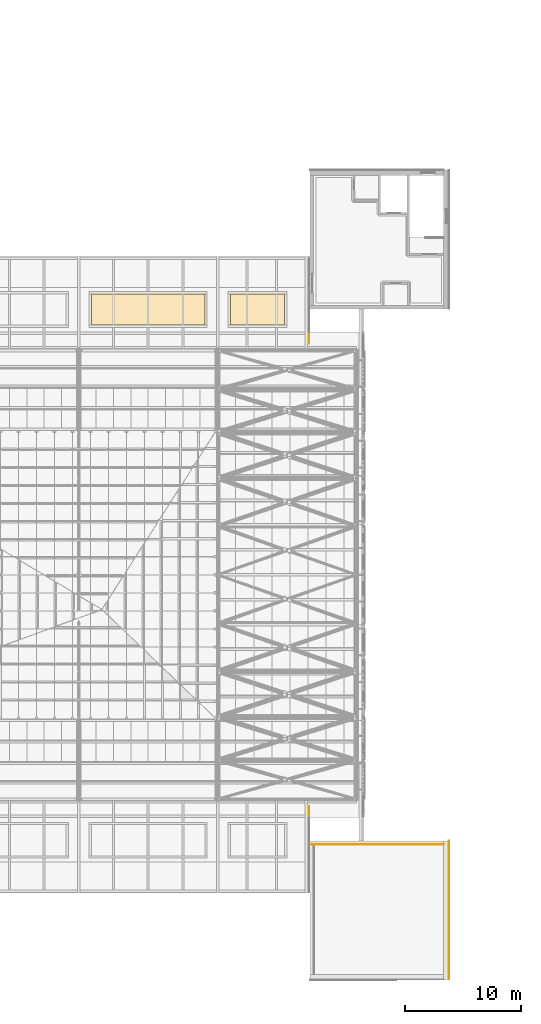
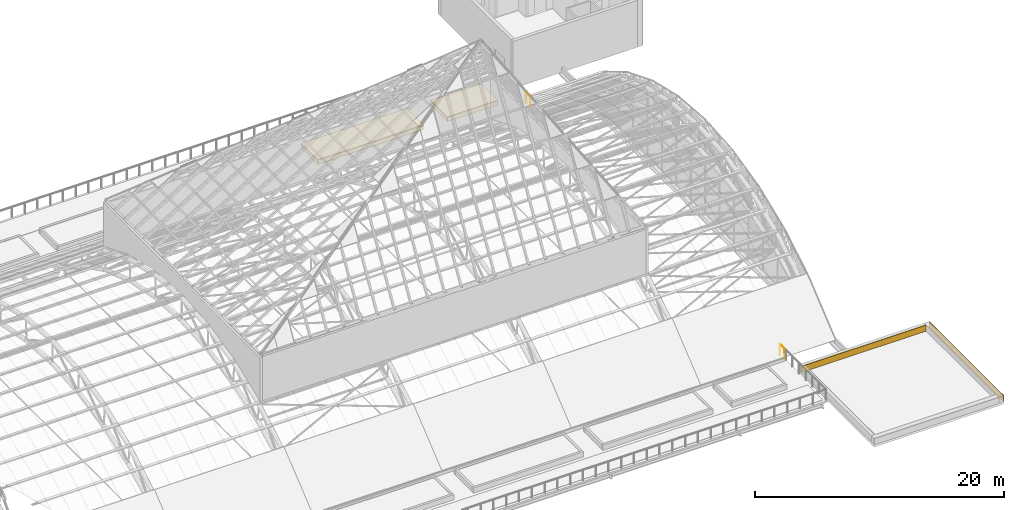
# One storey, part 107 of 110: 4 coverings, 2 railings.
"""IFC4 building model written with IfcOpenShell, lengths in metres."""

from ifc_helpers import new_model, si_unit, direction, frame, origin, origin_2d, place, context, subcontext, project, spatial, polyline, circle, outline, extrude, material, layer, layer_set, type_object, element, save


model = new_model("IFC4")

# Units and contexts
model_context = context("Model", 3, precision=1e-05, world=origin(), true_north=direction((0.0, 1.0)))
body_context = subcontext(model_context, "Body", "Model", "MODEL_VIEW")
ifc_project = project(units=[si_unit("LENGTHUNIT", "METRE"), si_unit("AREAUNIT", "SQUARE_METRE"), si_unit("VOLUMEUNIT", "CUBIC_METRE"), si_unit("PLANEANGLEUNIT", "RADIAN"), si_unit("MASSUNIT", "GRAM", prefix="KILO")], contexts=[model_context])

# Site, building, storey
site_placement = place(None, origin())
site = spatial("IfcSite", under=ifc_project, at=site_placement, CompositionType="ELEMENT")
building_placement = place(site_placement, origin())
building = spatial("IfcBuilding", under=site, at=building_placement, Name="Windward Yard Aquatics Centre", CompositionType="ELEMENT")
storey_placement = place(building_placement, frame((0.0, 0.0, 22.60009765625)))
storey = spatial("IfcBuildingStorey", under=building, at=storey_placement, Name="L05", CompositionType="ELEMENT", Elevation=22.60009765625)

# Coverings
ifc_material_1 = material(Name="Natural limestone cladding", Category="masonry")
ifc_layer_1 = layer(ifc_material_1, 0.0400390625)
ifc_layer_set_1 = layer_set([ifc_layer_1], Name="H natural stone cladding 40")
covering_type_1 = type_object("IfcCoveringType", Name="H natural stone cladding 40", PredefinedType="CLADDING", material=ifc_layer_set_1)
covering_1_placement = place(storey_placement, frame((0.0, 0.0, 0.25)))
element("IfcCovering", 1, at=covering_1_placement, inside=storey, type_object=covering_type_1, Name="Stone cladding panel 8", PredefinedType="CLADDING", context=body_context, shape_type="SweptSolid", body=[
    extrude(outline(polyline([(152.0, 26.0), (152.0, 38.0), (152.0400390625, 38.0), (152.0400390625, 26.0), (152.0, 26.0)])), origin(), (0.0, 0.0, 1.0), 0.599853515625),
])
covering_2_placement = place(storey_placement, frame((0.0, 0.0, 0.25)))
element("IfcCovering", 2, at=covering_2_placement, inside=storey, type_object=covering_type_1, Name="Stone cladding panel 9", PredefinedType="CLADDING", context=body_context, shape_type="SweptSolid", body=[
    extrude(outline(polyline([(140.0, 37.659912109375), (151.550048828125, 37.659912109375), (151.550048828125, 37.699951171875), (140.0, 37.699951171875), (140.0, 37.659912109375)])), origin(), (0.0, 0.0, 1.0), 0.599853515625),
])
ifc_material_2 = material(Name="Planting soil")
ifc_layer_2 = layer(ifc_material_2, 0.398, Name="Planting")
ifc_material_3 = material(Name="Filter fabric")
ifc_layer_3 = layer(ifc_material_3, 0.002, Name="Filter")
ifc_material_4 = material(Name="Drainage board")
ifc_layer_4 = layer(ifc_material_4, 0.05, Name="Drainage")
ifc_layer_set_2 = layer_set([ifc_layer_2, ifc_layer_3, ifc_layer_4], Name="H planting bed 450")
covering_type_2 = type_object("IfcCoveringType", Name="H planting bed 450", PredefinedType="USERDEFINED", material=ifc_layer_set_2)
covering_3_placement = place(storey_placement, origin())
element("IfcCovering", 3, at=covering_3_placement, inside=storey, type_object=covering_type_2, Name="Planting bed T2 N6", ObjectType="PLANTING BED", PredefinedType="USERDEFINED", context=body_context, shape_type="SweptSolid", body=[
    extrude(outline(polyline([(121.10009765625, 82.60009765625), (130.89990234375, 82.60009765625), (130.89990234375, 85.300048828125), (121.10009765625, 85.300048828125), (121.10009765625, 82.60009765625)])), origin(), (0.0, 0.0, 1.0), 0.449951171875),
])
covering_4_placement = place(storey_placement, origin())
element("IfcCovering", 4, at=covering_4_placement, inside=storey, type_object=covering_type_2, Name="Planting bed T2 N7", ObjectType="PLANTING BED", PredefinedType="USERDEFINED", context=body_context, shape_type="SweptSolid", body=[
    extrude(outline(polyline([(133.10009765625, 82.60009765625), (137.800048828125, 82.60009765625), (137.800048828125, 85.300048828125), (133.10009765625, 85.300048828125), (133.10009765625, 82.60009765625)])), origin(), (0.0, 0.0, 1.0), 0.449951171875),
])

# Railings
ifc_material_5 = material(Name="Stainless steel 1.4401 with toughened laminated glass infill", Category="steel")
railing_type = type_object("IfcRailingType", Name="H terrace guard 1100", PredefinedType="GUARDRAIL", material=ifc_material_5)
railing_1_placement = place(storey_placement, frame((139.89990234375, 40.228759765625, 0.0)))
element("IfcRailing", 5, at=railing_1_placement, inside=storey, type_object=railing_type, Name="Terrace 2 guard S east end", PredefinedType="GUARDRAIL", context=body_context, shape_type="SweptSolid", body=[
    extrude(circle(Radius=0.02392578125, at=origin_2d()), frame((0.0, 0.0, 1.076171875), z_axis=(0.0, 1.0, 0.0), x_axis=(-1.0, 0.0, 0.0)), (0.0, 0.0, 1.0), 0.750244140625),
    extrude(circle(Radius=0.02099609375, at=origin_2d()), origin(), (0.0, 0.0, 1.0), 1.052001953125),
    extrude(circle(Radius=0.02099609375, at=origin_2d()), frame((0.0, 0.750244140625, 0.0)), (0.0, 0.0, 1.0), 1.052001953125),
])
railing_2_placement = place(storey_placement, frame((139.89990234375, 81.771240234375, 0.0)))
element("IfcRailing", 6, at=railing_2_placement, inside=storey, type_object=railing_type, Name="Terrace 2 guard N east end", PredefinedType="GUARDRAIL", context=body_context, shape_type="SweptSolid", body=[
    extrude(circle(Radius=0.02392578125, at=origin_2d()), frame((0.0, 0.0, 1.076171875), z_axis=(0.0, -1.0, 0.0), x_axis=(1.0, 0.0, 0.0)), (0.0, 0.0, 1.0), 0.750244140625),
    extrude(circle(Radius=0.02099609375, at=origin_2d()), origin(), (0.0, 0.0, 1.0), 1.052001953125),
    extrude(circle(Radius=0.02099609375, at=origin_2d()), frame((0.0, -0.750244140625, 0.0)), (0.0, 0.0, 1.0), 1.052001953125),
])

save(model, "model.ifc")
